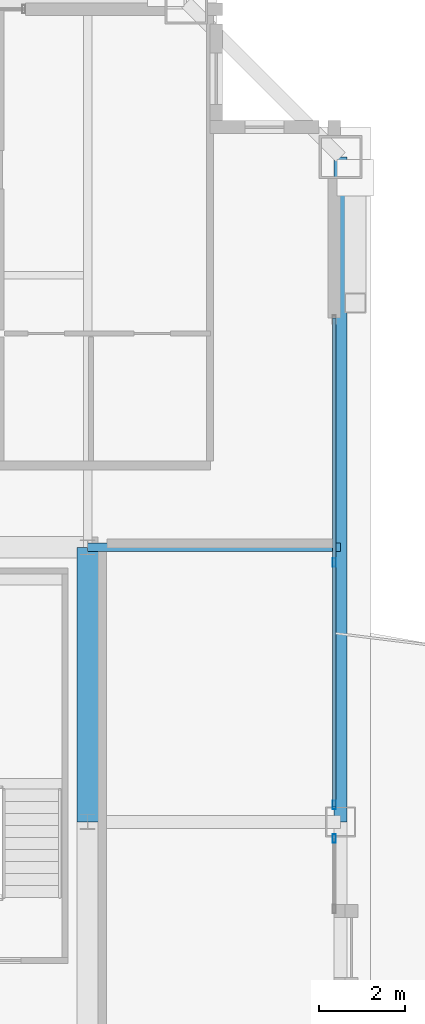
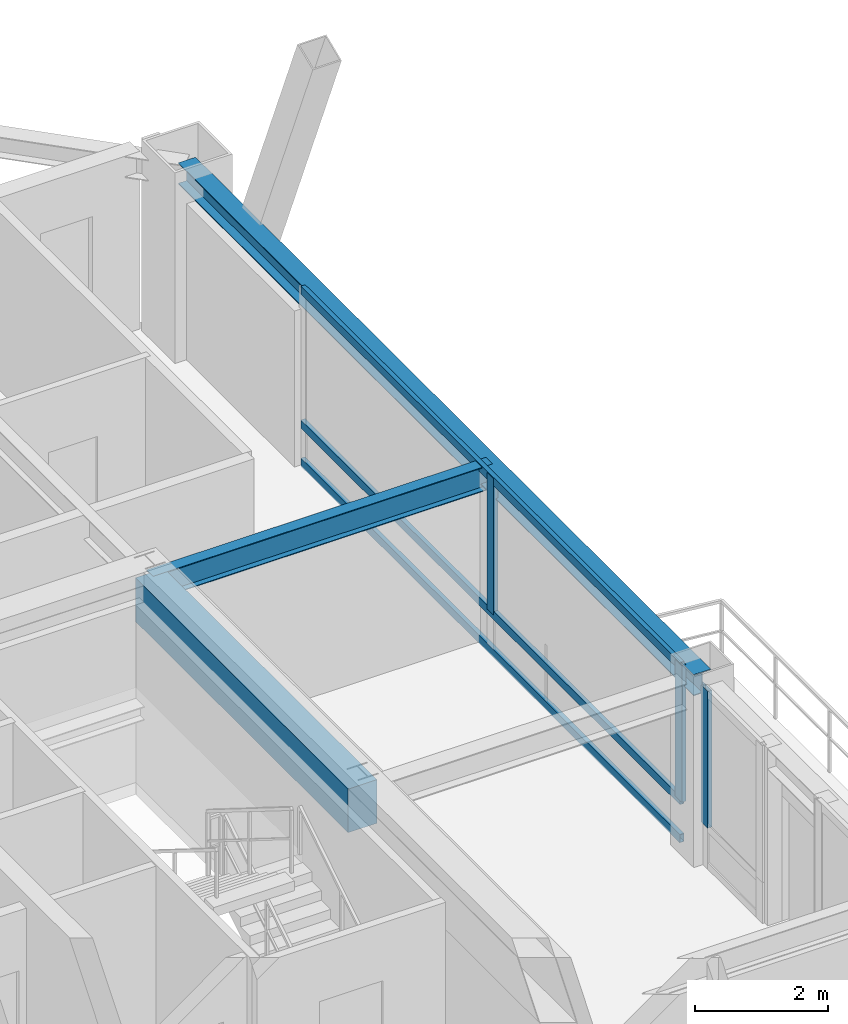
# One storey, part 14 of 35: 6 members, 3 beams, 2 elements without a shape of their own.
"""IFC4 building model written with IfcOpenShell, lengths in metres."""

import ifcopenshell
import ifcopenshell.guid

model = None  # the IFC model being written
_history = None  # IfcOwnerHistory: only IFC2X3 demands one
_inside = {}  # id of a spatial element -> (the spatial element, [elements in it])
_under = {}  # id of a project, library or spatial element -> (it, [spatial elements below it])
_declared = {}  # id of a project -> (the project, [libraries it declares])
_typed = {}  # id of a type object -> (the type object, [elements of that type])
_made_of = {}  # id of a material, layer set ... -> (it, [elements and type objects made of it])


def new_model(schema):
    """Start an empty IFC model of exactly this schema.

    Asked for "IFC4X3", IfcOpenShell would pick the latest addendum, in which some entities
    have other attributes; the version numbers below select the first issue.
    IFC2X3 requires an IfcOwnerHistory on every rooted entity: one is made here for all.
    """
    global model, _history
    if schema == "IFC4X3":
        model = ifcopenshell.file(schema_version=(4, 3, 0, 0))
    else:
        model = ifcopenshell.file(schema=schema)
    _inside.clear()
    _under.clear()
    _declared.clear()
    _typed.clear()
    _made_of.clear()
    _history = None
    if model.schema == "IFC2X3":
        org = make("IfcOrganization", Name="unknown")
        user = make(
            "IfcPersonAndOrganization",
            ThePerson=make("IfcPerson", FamilyName="unknown"),
            TheOrganization=org,
        )
        app = make(
            "IfcApplication",
            ApplicationDeveloper=org,
            Version="unknown",
            ApplicationFullName="unknown",
            ApplicationIdentifier="unknown",
        )
        _history = make(
            "IfcOwnerHistory",
            OwningUser=user,
            OwningApplication=app,
            ChangeAction="ADDED",
            CreationDate=0,
        )
    return model


def make(cls, **values):
    """One entity of the class cls with the attributes given. An attribute that is None is left unset."""
    return model.create_entity(
        cls, **{name: value for name, value in values.items() if value is not None}
    )


def rooted(cls, **values):
    """An entity with a GlobalId (a new one), such as an element, a storey or a relation."""
    return make(cls, GlobalId=ifcopenshell.guid.new(), OwnerHistory=_history, **values)


def si_unit(unit_type, name, prefix=None):
    """IfcSIUnit, for example si_unit("LENGTHUNIT", "METRE", prefix="MILLI")."""
    return make("IfcSIUnit", UnitType=unit_type, Prefix=prefix, Name=name)


def assignment(units):
    """IfcUnitAssignment: the units of a project."""
    return None if units is None else make("IfcUnitAssignment", Units=units)


def point(xyz):
    """IfcCartesianPoint."""
    return None if xyz is None else make("IfcCartesianPoint", Coordinates=xyz)


def direction(xyz):
    """IfcDirection."""
    return None if xyz is None else make("IfcDirection", DirectionRatios=xyz)


def frame(location, z_axis=None, x_axis=None):
    """IfcAxis2Placement3D, a coordinate frame: its origin and axes. An axis left out is left unset."""
    return make(
        "IfcAxis2Placement3D",
        Location=point(location),
        Axis=direction(z_axis),
        RefDirection=direction(x_axis),
    )


def frame_2d(location, x_axis=None):
    """IfcAxis2Placement2D, a coordinate frame in the plane: its origin and x axis."""
    return make(
        "IfcAxis2Placement2D", Location=point(location), RefDirection=direction(x_axis)
    )


def origin():
    """The frame at (0, 0, 0) with its axes left unset."""
    return frame((0.0, 0.0, 0.0))


def origin_2d():
    """The frame at (0, 0) in the plane with its x axis left unset."""
    return frame_2d((0.0, 0.0))


def place(relative_to, where):
    """IfcLocalPlacement: puts the frame where relative to a parent placement (None: the world)."""
    return make(
        "IfcLocalPlacement", PlacementRelTo=relative_to, RelativePlacement=where
    )


def context(
    kind, dimensions, precision=None, world=None, true_north=None, identifier=None
):
    """IfcGeometricRepresentationContext, for example the 3D "Model" context."""
    return make(
        "IfcGeometricRepresentationContext",
        ContextIdentifier=identifier,
        ContextType=kind,
        CoordinateSpaceDimension=dimensions,
        Precision=precision,
        WorldCoordinateSystem=world,
        TrueNorth=true_north,
    )


def subcontext(parent, identifier, kind, view, scale=None):
    """IfcGeometricRepresentationSubContext, for example "Body" below "Model"."""
    return make(
        "IfcGeometricRepresentationSubContext",
        ContextIdentifier=identifier,
        ContextType=kind,
        ParentContext=parent,
        TargetScale=scale,
        TargetView=view,
    )


def project(units=None, contexts=None):
    """IfcProject with its units and contexts."""
    return rooted(
        "IfcProject",
        Name="project",
        RepresentationContexts=contexts,
        UnitsInContext=assignment(units),
    )


def spatial(cls, under=None, at=None, **own):
    """A site, building, storey or space (cls), placed at a placement, below another one or the project."""
    s = rooted(cls, ObjectPlacement=at, **own)
    if under is not None:
        _under.setdefault(under.id(), (under, []))[1].append(s)
    return s


def profile(cls, at=None, kind="AREA", **sizes):
    """A parametric profile (cls). Its sizes go by their IFC names, for example OverallWidth=200.0."""
    return make(cls, ProfileType=kind, Position=at, **sizes)


def rectangle(**sizes):
    """IfcRectangleProfileDef."""
    return profile("IfcRectangleProfileDef", **sizes)


def hollow_rectangle(**sizes):
    """IfcRectangleHollowProfileDef."""
    return profile("IfcRectangleHollowProfileDef", **sizes)


def i_section(**sizes):
    """IfcIShapeProfileDef."""
    return profile("IfcIShapeProfileDef", **sizes)


def extrude(swept, where, along, depth):
    """IfcExtrudedAreaSolid: the profile swept, set in the frame where, extruded along a direction by depth."""
    return make(
        "IfcExtrudedAreaSolid",
        SweptArea=swept,
        Position=where,
        ExtrudedDirection=direction(along),
        Depth=depth,
    )


def shape(context_of_items, identifier, shape_type, items):
    """IfcShapeRepresentation: the items that make up one representation, for example the "Body"."""
    return make(
        "IfcShapeRepresentation",
        ContextOfItems=context_of_items,
        RepresentationIdentifier=identifier,
        RepresentationType=shape_type,
        Items=items,
    )


def source(mapping_origin, context_of_items, identifier, shape_type, items):
    """IfcRepresentationMap: a shape defined once, which mapped items show again and again."""
    return make(
        "IfcRepresentationMap",
        MappingOrigin=mapping_origin,
        MappedRepresentation=shape(context_of_items, identifier, shape_type, items),
    )


def transform(
    local_origin,
    x_axis=None,
    y_axis=None,
    z_axis=None,
    scale=None,
    scale2=None,
    scale3=None,
    uniform=True,
):
    """IfcCartesianTransformationOperator3D, or its non-uniform kind. x_axis, y_axis, z_axis: its Axis1, 2, 3."""
    if uniform:
        return make(
            "IfcCartesianTransformationOperator3D",
            Axis1=direction(x_axis),
            Axis2=direction(y_axis),
            LocalOrigin=point(local_origin),
            Scale=scale,
            Axis3=direction(z_axis),
        )
    return make(
        "IfcCartesianTransformationOperator3DnonUniform",
        Axis1=direction(x_axis),
        Axis2=direction(y_axis),
        LocalOrigin=point(local_origin),
        Scale=scale,
        Axis3=direction(z_axis),
        Scale2=scale2,
        Scale3=scale3,
    )


def mapped(mapping_source, mapping_target):
    """IfcMappedItem: shows the shape of a source again, moved by a transform."""
    return make(
        "IfcMappedItem", MappingSource=mapping_source, MappingTarget=mapping_target
    )


def material(Name=None, Category=None):
    """IfcMaterial."""
    return make("IfcMaterial", Name=Name, Category=Category)


def layer(
    of_material, thickness, ventilated=None, Name=None, Category=None, Priority=None
):
    """IfcMaterialLayer: one layer of a wall or slab, of a material (None: an air gap)."""
    return make(
        "IfcMaterialLayer",
        Material=of_material,
        LayerThickness=thickness,
        IsVentilated=ventilated,
        Name=Name,
        Category=Category,
        Priority=Priority,
    )


def layer_set(layers, Name=None):
    """IfcMaterialLayerSet."""
    return make("IfcMaterialLayerSet", MaterialLayers=layers, LayerSetName=Name)


def material_profile(
    of_material, cross_section, Name=None, Category=None, Priority=None
):
    """IfcMaterialProfile: a cross section and its material."""
    return make(
        "IfcMaterialProfile",
        Name=Name,
        Material=of_material,
        Profile=cross_section,
        Priority=Priority,
        Category=Category,
    )


def profile_set(profiles, Name=None, composite=None):
    """IfcMaterialProfileSet."""
    return make(
        "IfcMaterialProfileSet",
        Name=Name,
        MaterialProfiles=profiles,
        CompositeProfile=composite,
    )


def made_of(thing, what):
    """Note that an element or type object is made of a material, layer set ...; save() writes the relation."""
    if what is not None:
        _made_of.setdefault(what.id(), (what, []))[1].append(thing)
    return thing


def type_object(cls, material=None, **own):
    """A type object (cls), such as IfcWallType, which elements share."""
    return made_of(rooted(cls, **own), material)


def element(
    cls,
    number,
    at=None,
    inside=None,
    cuts=None,
    type_object=None,
    material=None,
    context=None,
    identifier="Body",
    shape_type=None,
    held_by="IfcProductDefinitionShape",
    body=None,
    shapes=None,
    **own,
):
    """One element of the class cls, such as IfcWall. Its Tag is "e" and its number.

    at: its placement. inside: the storey or other place that contains it. cuts: it is an
    opening in that element (IfcRelVoidsElement). A single representation is given by context,
    identifier, shape_type and body (its items); several are given by shapes. held_by: the class
    of the entity that holds the representations. save() writes the other relations.
    """
    e = rooted(cls, Tag="e%d" % number, ObjectPlacement=at, **own)
    if body is not None:
        shapes = [shape(context, identifier, shape_type, body)]
    if shapes is not None:
        e.Representation = make(held_by, Representations=shapes)
    if inside is not None:
        _inside.setdefault(inside.id(), (inside, []))[1].append(e)
    if cuts is not None:
        rooted(
            "IfcRelVoidsElement", RelatingBuildingElement=cuts, RelatedOpeningElement=e
        )
    if type_object is not None:
        _typed.setdefault(type_object.id(), (type_object, []))[1].append(e)
    return made_of(e, material)


def aggregate(whole, parts):
    """IfcRelAggregates: a whole, such as a stair, and the parts it consists of."""
    return rooted("IfcRelAggregates", RelatingObject=whole, RelatedObjects=parts)


def save(model, path):
    """Write the relations noted so far, then the file.

    IfcRelAggregates (storeys below a building ...), IfcRelContainedInSpatialStructure (elements
    in a storey), IfcRelDefinesByType, IfcRelAssociatesMaterial and IfcRelDeclares: one each for
    every whole, place, type object, material and project.
    """
    for whole, parts in _under.values():
        aggregate(whole, parts)
    for where, things in _inside.values():
        rooted(
            "IfcRelContainedInSpatialStructure",
            RelatedElements=things,
            RelatingStructure=where,
        )
    for kind, things in _typed.values():
        rooted("IfcRelDefinesByType", RelatedObjects=things, RelatingType=kind)
    for what, things in _made_of.values():
        rooted("IfcRelAssociatesMaterial", RelatedObjects=things, RelatingMaterial=what)
    for by, libraries in _declared.values():
        rooted("IfcRelDeclares", RelatingContext=by, RelatedDefinitions=libraries)
    model.write(path)


model = new_model("IFC4")

# Units and contexts
model_context = context("Model", 3, precision=1e-05, world=origin(), true_north=direction((0.0, 1.0)))
body_context = subcontext(model_context, "Body", "Model", "MODEL_VIEW")
ifc_project = project(units=[si_unit("LENGTHUNIT", "METRE"), si_unit("AREAUNIT", "SQUARE_METRE"), si_unit("VOLUMEUNIT", "CUBIC_METRE"), si_unit("PLANEANGLEUNIT", "RADIAN"), si_unit("MASSUNIT", "GRAM", prefix="KILO"), si_unit("THERMODYNAMICTEMPERATUREUNIT", "KELVIN"), si_unit("POWERUNIT", "WATT")], contexts=[model_context])

# Site, building, storey
site_placement = place(None, origin())
site = spatial("IfcSite", under=ifc_project, at=site_placement, CompositionType="ELEMENT")
building_placement = place(site_placement, origin())
building = spatial("IfcBuilding", under=site, at=building_placement, Name="Yuzanri Waterfront Tower", CompositionType="ELEMENT")
storey_placement = place(building_placement, frame((0.0, 0.0, 335.699951171875)))
storey = spatial("IfcBuildingStorey", under=building, at=storey_placement, Name="L90", CompositionType="ELEMENT", Elevation=335.699951171875)

# Beams
ifc_material_1 = material(Name="Concrete C50", Category="concrete")
ifc_material_profile_1 = material_profile(ifc_material_1, rectangle(XDim=0.5, YDim=0.800048828125, at=origin_2d()), Name="RC 500x800")
ifc_profile_set_1 = profile_set([ifc_material_profile_1], Name="Concrete C50")
beam_type_1 = type_object("IfcBeamType", Name="Core Coupling Lintel Concrete C50 500x800", PredefinedType="LINTEL", material=ifc_profile_set_1)
shared_shape_1 = source(origin(), body_context, "Body", "SweptSolid", [
    extrude(rectangle(XDim=0.5, YDim=0.800048828125, at=origin_2d()), origin(), (0.0, 0.0, 1.0), 6.39990234375),
])
beam_1_placement = place(storey_placement, frame((50.199951171875, 25.800048828125, 2.860107421875), z_axis=(0.0, 1.0, 0.0), x_axis=(-1.0, 0.0, 0.0)))
element("IfcBeam", 1, at=beam_1_placement, inside=storey, type_object=beam_type_1, Name="L90 Core Tie Beam CE2", PredefinedType="LINTEL", context=body_context, shape_type="MappedRepresentation", body=[
    mapped(shared_shape_1, transform((0.0, 0.0, 0.0), scale=1.0)),
])
ifc_material_2 = material(Name="Steel Q355B", Category="steel")
ifc_material_profile_2 = material_profile(ifc_material_2, i_section(OverallWidth=0.300048828125, OverallDepth=0.389892578125, WebThickness=0.010009765625, FlangeThickness=0.01611328125, at=origin_2d()), Name="HM 390x300x10x16")
ifc_profile_set_2 = profile_set([ifc_material_profile_2], Name="Steel Q355B")
beam_type_2 = type_object("IfcBeamType", Name="Perimeter Spandrel Q355B HM 390x300", PredefinedType="SPANDREL", material=ifc_profile_set_2)
shared_shape_2 = source(origin(), body_context, "Body", "SweptSolid", [
    extrude(i_section(OverallWidth=0.300048828125, OverallDepth=0.389892578125, WebThickness=0.010009765625, FlangeThickness=0.01611328125, at=origin_2d()), origin(), (0.0, 0.0, 1.0), 15.5),
])
beam_2_placement = place(storey_placement, frame((56.10009765625, 25.800048828125, 3.06494140625), z_axis=(0.0, 1.0, 0.0), x_axis=(-1.0, 0.0, 0.0)))
element("IfcBeam", 2, at=beam_2_placement, inside=storey, type_object=beam_type_2, Name="L90 Perimeter Spandrel E2-E3", PredefinedType="SPANDREL", context=body_context, shape_type="MappedRepresentation", body=[
    mapped(shared_shape_2, transform((0.0, 0.0, 0.0), scale=1.0)),
])
ifc_material_3 = material(Name="Steel Q355B", Category="steel")
ifc_material_profile_3 = material_profile(ifc_material_3, i_section(OverallWidth=0.199951171875, OverallDepth=0.449951171875, WebThickness=0.009033203125, FlangeThickness=0.013916015625, at=origin_2d()), Name="HN 450x200x9x14")
ifc_profile_set_3 = profile_set([ifc_material_profile_3], Name="Steel Q355B")
beam_type_3 = type_object("IfcBeamType", Name="Secondary Floor Beam Q355B HN 450x200", PredefinedType="BEAM", material=ifc_profile_set_3)
shared_shape_3 = source(origin(), body_context, "Body", "SweptSolid", [
    extrude(i_section(OverallWidth=0.199951171875, OverallDepth=0.449951171875, WebThickness=0.009033203125, FlangeThickness=0.013916015625, at=origin_2d()), origin(), (0.0, 0.0, 1.0), 5.900146484375),
])
beam_3_placement = place(storey_placement, frame((50.199951171875, 32.199951171875, 3.03515625), z_axis=(1.0, 0.0, 0.0), x_axis=(0.0, 1.0, 0.0)))
element("IfcBeam", 3, at=beam_3_placement, inside=storey, type_object=beam_type_3, Name="L90 East-North Core Line Beam", PredefinedType="BEAM", context=body_context, shape_type="MappedRepresentation", body=[
    mapped(shared_shape_3, transform((0.0, 0.0, 0.0), scale=1.0)),
])

# Curtain wall, members
ifc_material_4 = material(Name="Anodized Architectural Bronze", Category="metal")
ifc_layer = layer(ifc_material_4, 0.159912109375)
ifc_layer_set = layer_set([ifc_layer], Name="Anodized Architectural Bronze")
curtain_wall_type = type_object("IfcCurtainWallType", Name="Anodized Bronze High-Rise Penthouse High-Wind Unitized Curtain Wall 6900", PredefinedType="NOTDEFINED", material=ifc_layer_set)
curtain_wall_1_placement = place(storey_placement, origin())
curtain_wall_1 = element("IfcCurtainWall", 4, at=curtain_wall_1_placement, inside=storey, type_object=curtain_wall_type, Name="L90 Curtain Wall CW-L90-ER", PredefinedType="NOTDEFINED")
ifc_material_5 = material(Name="Anodized Architectural Bronze", Category="metal")
ifc_material_profile_4 = material_profile(ifc_material_5, hollow_rectangle(XDim=0.074951171875, YDim=0.14990234375, WallThickness=0.00390625, at=origin_2d()), Name="CWT 75x150")
ifc_profile_set_4 = profile_set([ifc_material_profile_4], Name="Anodized Architectural Bronze")
member_type_1 = type_object("IfcMemberType", Name="Anodized Bronze Primary Curtain-Wall Transom 75x150", PredefinedType="USERDEFINED", material=ifc_profile_set_4)
shared_shape_4 = source(origin(), body_context, "Body", "SweptSolid", [
    extrude(hollow_rectangle(XDim=0.074951171875, YDim=0.14990234375, WallThickness=0.00390625, at=origin_2d()), origin(), (0.0, 0.0, 1.0), 11.400146484375),
])
member_1_placement = place(storey_placement, frame((55.949951171875, 26.14990234375, 0.050048828125), z_axis=(0.0, 1.0, 0.0), x_axis=(-1.0, 0.0, 0.0)))
member_1 = element("IfcMember", 5, at=member_1_placement, type_object=member_type_1, Name="CW-L90-ER Transom 1", ObjectType="TRANSOM", PredefinedType="USERDEFINED", context=body_context, shape_type="MappedRepresentation", body=[
    mapped(shared_shape_4, transform((0.0, 0.0, 0.0), scale=1.0)),
])
member_2_placement = place(storey_placement, frame((55.949951171875, 26.14990234375, 0.75), z_axis=(0.0, 1.0, 0.0), x_axis=(-1.0, 0.0, 0.0)))
member_2 = element("IfcMember", 6, at=member_2_placement, type_object=member_type_1, Name="CW-L90-ER Transom 2", ObjectType="TRANSOM", PredefinedType="USERDEFINED", context=body_context, shape_type="MappedRepresentation", body=[
    mapped(shared_shape_4, transform((0.0, 0.0, 0.0), scale=1.0)),
])
member_3_placement = place(storey_placement, frame((55.949951171875, 26.14990234375, 3.2099609375), z_axis=(0.0, 1.0, 0.0), x_axis=(-1.0, 0.0, 0.0)))
member_3 = element("IfcMember", 7, at=member_3_placement, type_object=member_type_1, Name="CW-L90-ER Transom 3", ObjectType="TRANSOM", PredefinedType="USERDEFINED", context=body_context, shape_type="MappedRepresentation", body=[
    mapped(shared_shape_4, transform((0.0, 0.0, 0.0), scale=1.0)),
])

# Curtain wall, member
curtain_wall_2_placement = place(storey_placement, origin())
curtain_wall_2 = element("IfcCurtainWall", 8, at=curtain_wall_2_placement, inside=storey, type_object=curtain_wall_type, Name="L90 Curtain Wall CW-L90-EL2", PredefinedType="NOTDEFINED")
ifc_material_6 = material(Name="Anodized Architectural Bronze", Category="metal")
ifc_material_profile_5 = material_profile(ifc_material_6, hollow_rectangle(XDim=0.074951171875, YDim=0.199951171875, WallThickness=0.00390625, at=origin_2d()), Name="CWM 75x200")
ifc_profile_set_5 = profile_set([ifc_material_profile_5], Name="Anodized Architectural Bronze")
member_type_2 = type_object("IfcMemberType", Name="Anodized Bronze Primary Curtain-Wall Mullion 75x200", PredefinedType="MULLION", material=ifc_profile_set_5)
shared_shape_5 = source(origin(), body_context, "Body", "SweptSolid", [
    extrude(hollow_rectangle(XDim=0.074951171875, YDim=0.199951171875, WallThickness=0.00390625, at=origin_2d()), origin(), (0.0, 0.0, 1.0), 2.508056640625),
])
member_4_placement = place(storey_placement, frame((55.949951171875, 25.409912109375, 0.751953125), z_axis=(0.0, 0.0, 1.0), x_axis=(1.0, 0.0, 0.0)))
member_4 = element("IfcMember", 9, at=member_4_placement, type_object=member_type_2, Name="CW-L90-EL2 Upper Mullion 01", PredefinedType="MULLION", context=body_context, shape_type="MappedRepresentation", body=[
    mapped(shared_shape_5, transform((0.0, 0.0, 0.0), scale=1.0)),
])
aggregate(curtain_wall_2, [member_4])

# Member
member_5_placement = place(storey_placement, frame((55.949951171875, 26.18994140625, 0.751953125), z_axis=(0.0, 0.0, 1.0), x_axis=(1.0, 0.0, 0.0)))
member_5 = element("IfcMember", 10, at=member_5_placement, type_object=member_type_2, Name="CW-L90-ER Upper Mullion 00", PredefinedType="MULLION", context=body_context, shape_type="MappedRepresentation", body=[
    mapped(shared_shape_5, transform((0.0, 0.0, 0.0), scale=1.0)),
])

member_6_placement = place(storey_placement, frame((55.949951171875, 31.85009765625, 0.751953125), z_axis=(0.0, 0.0, 1.0), x_axis=(1.0, 0.0, 0.0)))
member_6 = element("IfcMember", 11, at=member_6_placement, type_object=member_type_2, Name="CW-L90-ER Upper Mullion 01", PredefinedType="MULLION", context=body_context, shape_type="MappedRepresentation", body=[
    mapped(shared_shape_5, transform((0.0, 0.0, 0.0), scale=1.0)),
])

aggregate(curtain_wall_1, [member_5, member_6, member_1, member_2, member_3])

save(model, "model.ifc")
